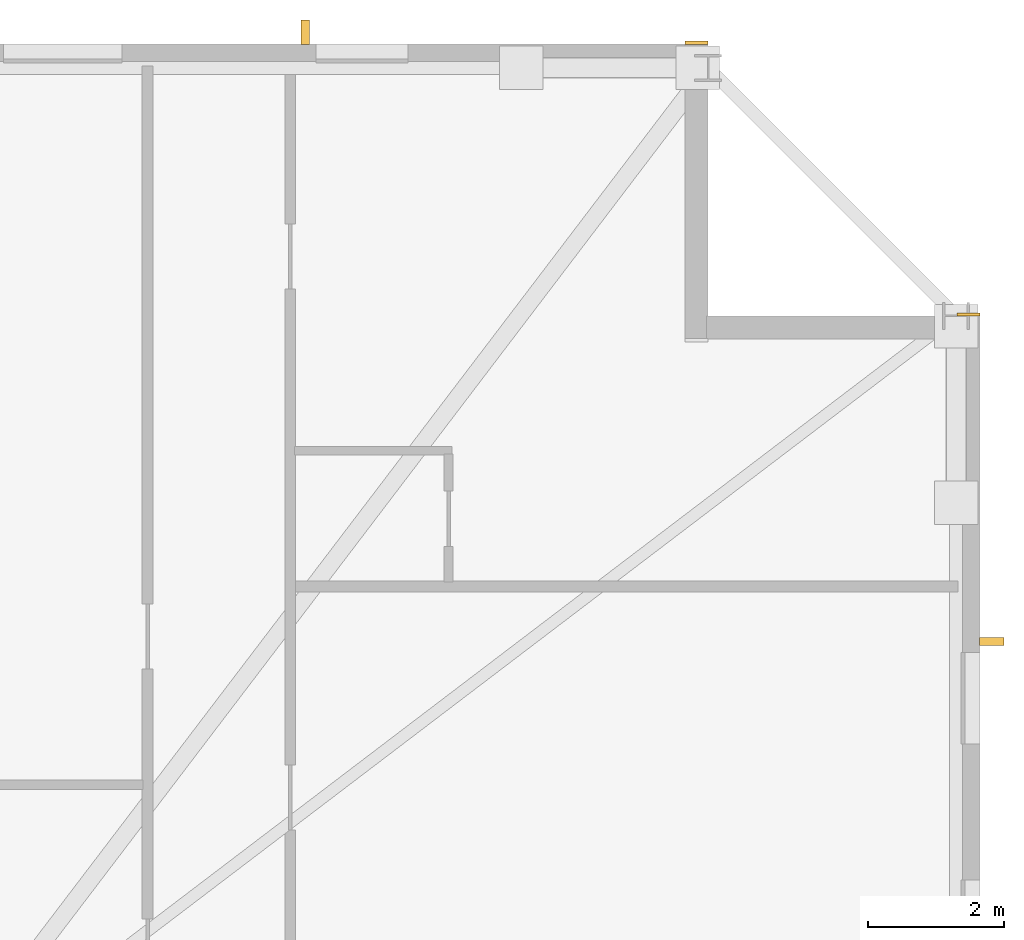
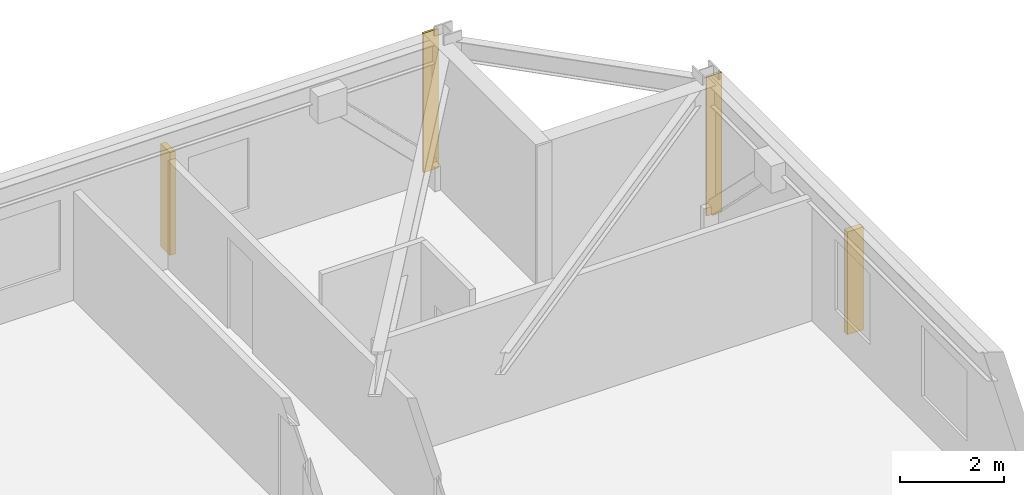
# One storey, part 11 of 11: 2 coverings, 2 shading devices.
"""IFC4 building model written with IfcOpenShell, lengths in metres."""

from ifc_helpers import new_model, si_unit, direction, frame, frame_2d, origin, origin_2d, place, context, subcontext, project, spatial, rectangle, extrude, material, layer, layer_set, type_object, element, save


model = new_model("IFC4")

# Units and contexts
model_context = context("Model", 3, precision=1e-05, world=origin(), true_north=direction((0.0, 1.0)))
body_context = subcontext(model_context, "Body", "Model", "MODEL_VIEW")
ifc_project = project(units=[si_unit("LENGTHUNIT", "METRE"), si_unit("AREAUNIT", "SQUARE_METRE"), si_unit("VOLUMEUNIT", "CUBIC_METRE"), si_unit("PLANEANGLEUNIT", "RADIAN"), si_unit("MASSUNIT", "GRAM", prefix="KILO")], contexts=[model_context])

# Site, building, storey
site_placement = place(None, origin())
site = spatial("IfcSite", under=ifc_project, at=site_placement, CompositionType="ELEMENT")
building_placement = place(site_placement, origin())
building = spatial("IfcBuilding", under=site, at=building_placement, Name="Cairnveth Concourse Tower", CompositionType="ELEMENT")
storey_placement = place(building_placement, frame((0.0, 0.0, 127.0)))
storey = spatial("IfcBuildingStorey", under=building, at=storey_placement, Name="L34", CompositionType="ELEMENT", Elevation=127.0)

# Coverings
ifc_material_1 = material(Name="Dressed Melbourne Bluestone Cladding", Category="masonry")
ifc_layer = layer(ifc_material_1, 0.050048828125)
ifc_layer_set = layer_set([ifc_layer], Name="Dressed Melbourne Bluestone Cladding")
covering_type = type_object("IfcCoveringType", Name="DRESSED BLUESTONE PLINTH CLADDING 50", PredefinedType="CLADDING", material=ifc_layer_set)
for number, where, z_axis, x_axis, name in (
    (1, (71.659912109375, 63.02001953125, 0.0), (0.0, 0.0, 1.0), (1.0, 0.0, 0.0), "Melbourne Bluestone Corner Quoin L34-487"),
    (2, (75.659912109375, 59.02001953125, 0.0), (0.0, 0.0, 1.0), (1.0, 0.0, 0.0), "Melbourne Bluestone Corner Quoin L34-489"),
):
    element("IfcCovering", number, at=place(storey_placement, frame(where, z_axis=z_axis, x_axis=x_axis)), inside=storey, type_object=covering_type, Name=name, PredefinedType="CLADDING", context=body_context, shape_type="SweptSolid", body=[
        extrude(rectangle(XDim=0.340087890625, YDim=0.050048828125, at=frame_2d((0.169921875, 0.0))), origin(), (0.0, 0.0, 1.0), 3.280029296875),
    ])

# Shading devices
ifc_material_2 = material(Name="Architectural Bronze Anodised Aluminium 6063-T6", Category="aluminium")
shading_device_type = type_object("IfcShadingDeviceType", Name="GOTHIC BRONZE VERTICAL LANCET FIN", PredefinedType="USERDEFINED", material=ifc_material_2)
for number, where, z_axis, x_axis, name in (
    (3, (66.0703125, 63.175048828125, 0.030029296875), (0.0, 0.0, 1.0), (1.0, 0.0, 0.0), "Gothic Bronze Vertical Fin L34-3-9"),
    (4, (76.175048828125, 54.208251953125, 0.030029296875), (0.0, 0.0, 1.0), (0.0, 1.0, 0.0), "Gothic Bronze Vertical Fin L34-6-1"),
):
    element("IfcShadingDevice", number, at=place(storey_placement, frame(where, z_axis=z_axis, x_axis=x_axis)), inside=storey, type_object=shading_device_type, Name=name, ObjectType="VERTICAL FIN", PredefinedType="USERDEFINED", context=body_context, shape_type="SweptSolid", body=[
        extrude(rectangle(XDim=0.1201171875, YDim=0.360107421875, at=origin_2d()), origin(), (0.0, 0.0, 1.0), 2.419921875),
    ])

save(model, "model.ifc")
